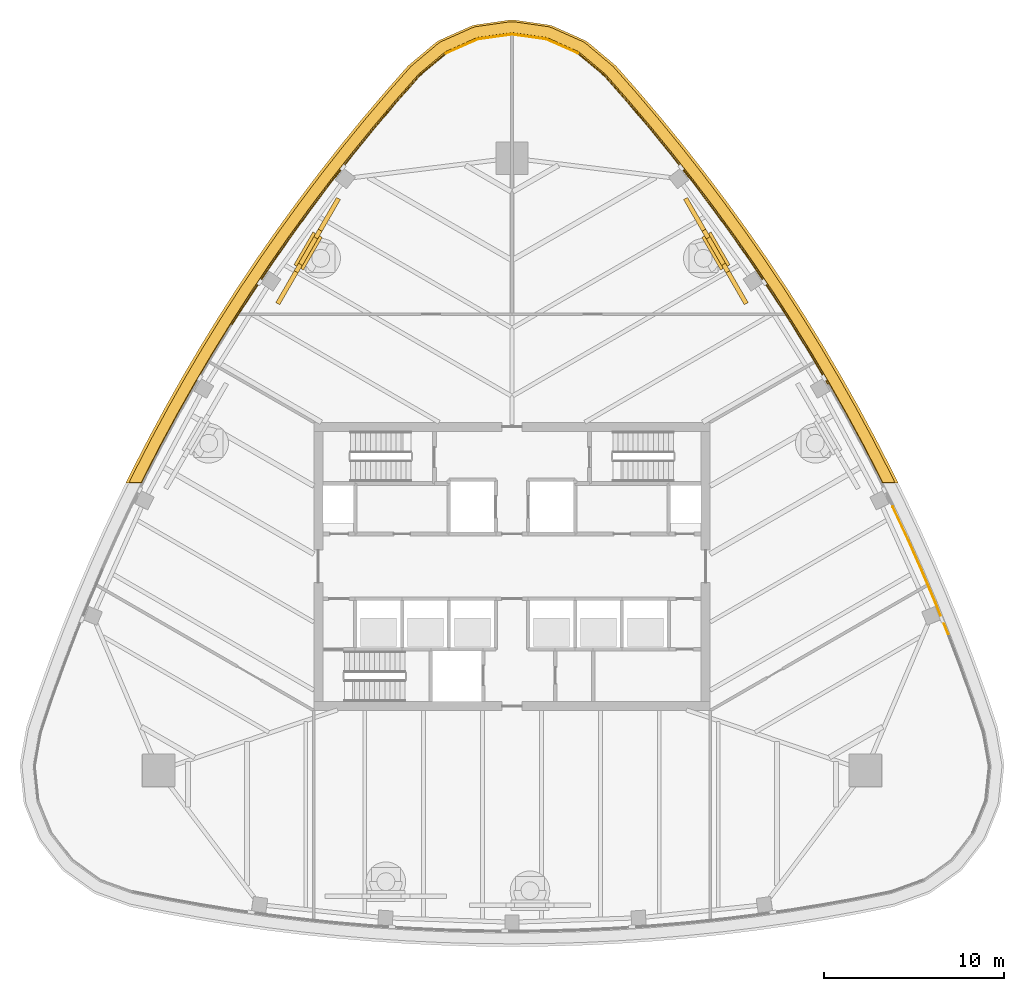
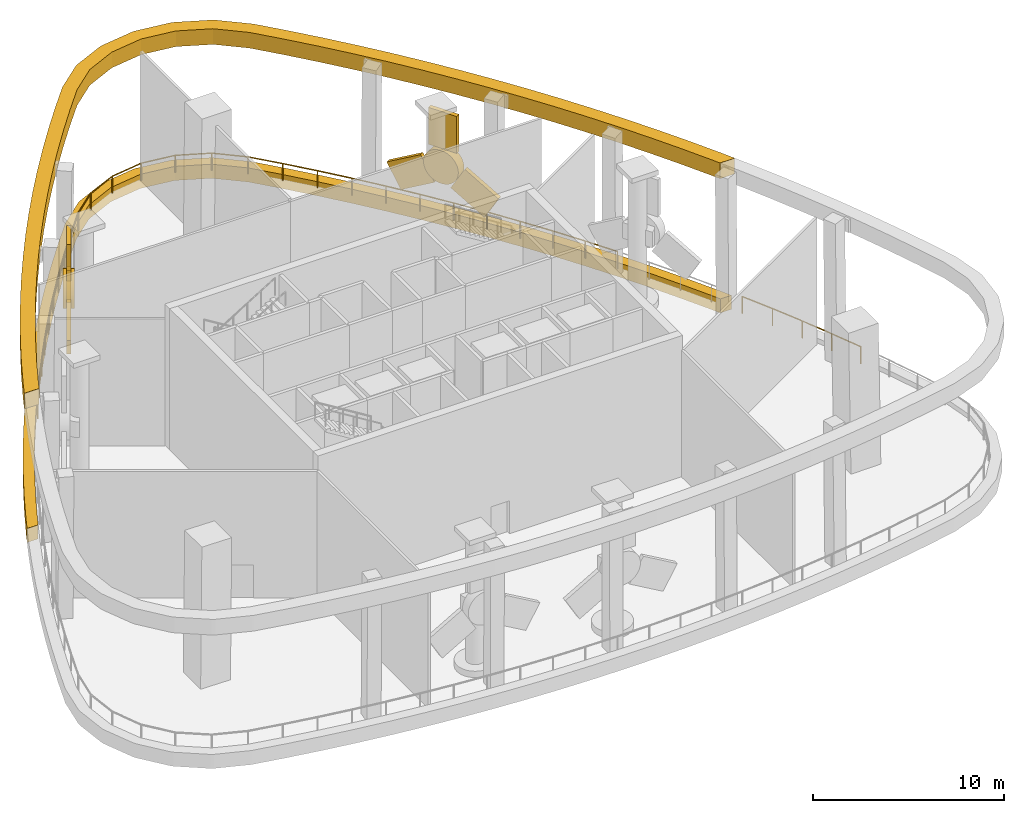
# One storey, part 10 of 12: 10 coverings, 9 railings.
"""IFC4 building model written with IfcOpenShell, lengths in metres."""

from ifc_helpers import new_model, si_unit, direction, frame, origin, origin_2d, place, context, subcontext, project, spatial, polyline, rectangle, circle, outline, extrude, material, layer, layer_set, material_profile, profile_set, type_object, element, save


model = new_model("IFC4")

# Units and contexts
model_context = context("Model", 3, precision=1e-05, world=origin(), true_north=direction((0.0, 1.0)))
body_context = subcontext(model_context, "Body", "Model", "MODEL_VIEW")
ifc_project = project(units=[si_unit("LENGTHUNIT", "METRE"), si_unit("AREAUNIT", "SQUARE_METRE"), si_unit("VOLUMEUNIT", "CUBIC_METRE"), si_unit("PLANEANGLEUNIT", "RADIAN"), si_unit("MASSUNIT", "GRAM", prefix="KILO")], contexts=[model_context])

# Site, building, storey
site_placement = place(None, origin())
site = spatial("IfcSite", under=ifc_project, at=site_placement, CompositionType="ELEMENT")
building_placement = place(site_placement, origin())
building = spatial("IfcBuilding", under=site, at=building_placement, Name="Sierra Prisma Convention Tower", CompositionType="ELEMENT")
storey_placement = place(building_placement, frame((0.0, 0.0, 330.39990234375)))
storey = spatial("IfcBuildingStorey", under=building, at=storey_placement, Name="L75", CompositionType="ELEMENT", Elevation=330.39990234375)

# Railings
ifc_material_1 = material(Name="Stainless steel 316 and laminated glass", Category="steel")
railing_type = type_object("IfcRailingType", Name="Open storey guard", PredefinedType="BALUSTRADE", material=ifc_material_1)
railing_1_placement = place(storey_placement, frame((-15.544189453125, 13.422607421875, 0.0)))
element("IfcRailing", 1, at=railing_1_placement, inside=storey, type_object=railing_type, Name="Perimeter guard L75", PredefinedType="BALUSTRADE", context=body_context, shape_type="SweptSolid", body=[
    extrude(circle(Radius=0.02490234375, at=origin_2d()), frame((0.0, 0.0, 1.0751953125), z_axis=(0.540257888774, 0.84149950304, 0.0), x_axis=(-0.84149950304, 0.540257888774, 0.0)), (0.0, 0.0, 1.0), 1.926513671875),
    extrude(circle(Radius=0.02490234375, at=origin_2d()), frame((1.040771484375, 1.62109375, 1.0751953125), z_axis=(0.556044646284, 0.83115242365, 0.0), x_axis=(-0.83115242365, 0.556044646284, 0.0)), (0.0, 0.0, 1.0), 1.926513671875),
    extrude(circle(Radius=0.02490234375, at=origin_2d()), frame((2.112060546875, 3.222412109375, 1.0751953125), z_axis=(0.57163241071, 0.820509833595, 0.0), x_axis=(-0.820509833595, 0.57163241071, 0.0)), (0.0, 0.0, 1.0), 1.926513671875),
    extrude(circle(Radius=0.02490234375, at=origin_2d()), frame((3.21337890625, 4.80322265625, 1.0751953125), z_axis=(0.587108769912, 0.80950805573, 0.0), x_axis=(-0.80950805573, 0.587108769912, 0.0)), (0.0, 0.0, 1.0), 1.926513671875),
    extrude(circle(Radius=0.02001953125, at=origin_2d()), origin(), (0.0, 0.0, 1.0), 1.050048828125),
    extrude(circle(Radius=0.02001953125, at=origin_2d()), frame((1.040771484375, 1.62109375, 0.0)), (0.0, 0.0, 1.0), 1.050048828125),
    extrude(circle(Radius=0.02001953125, at=origin_2d()), frame((2.112060546875, 3.222412109375, 0.0)), (0.0, 0.0, 1.0), 1.050048828125),
    extrude(circle(Radius=0.02001953125, at=origin_2d()), frame((3.21337890625, 4.80322265625, 0.0)), (0.0, 0.0, 1.0), 1.050048828125),
    extrude(circle(Radius=0.02001953125, at=origin_2d()), frame((4.344482421875, 6.36279296875, 0.0)), (0.0, 0.0, 1.0), 1.050048828125),
])
railing_2_placement = place(storey_placement, frame((-11.19970703125, 19.785400390625, 0.0)))
element("IfcRailing", 2, at=railing_2_placement, inside=storey, type_object=railing_type, Name="Perimeter guard L75", PredefinedType="BALUSTRADE", context=body_context, shape_type="SweptSolid", body=[
    extrude(circle(Radius=0.02490234375, at=origin_2d()), frame((0.0, 0.0, 1.0751953125), z_axis=(0.602187525109, 0.79835467344, 0.0), x_axis=(-0.79835467344, 0.602187525109, 0.0)), (0.0, 0.0, 1.0), 1.926513671875),
    extrude(circle(Radius=0.02490234375, at=origin_2d()), frame((1.16015625, 1.5380859375, 1.0751953125), z_axis=(0.61715531955, 0.786841350941, 0.0), x_axis=(-0.786841350941, 0.61715531955, 0.0)), (0.0, 0.0, 1.0), 1.926513671875),
    extrude(circle(Radius=0.02490234375, at=origin_2d()), frame((2.34912109375, 3.053955078125, 1.0751953125), z_axis=(0.631870389581, 0.775074067926, 0.0), x_axis=(-0.775074067926, 0.631870389581, 0.0)), (0.0, 0.0, 1.0), 1.926513671875),
    extrude(circle(Radius=0.02490234375, at=origin_2d()), frame((3.56640625, 4.547119140625, 1.0751953125), z_axis=(0.646407933094, 0.762991994738, 0.0), x_axis=(-0.762991994738, 0.646407933094, 0.0)), (0.0, 0.0, 1.0), 1.926513671875),
    extrude(circle(Radius=0.02001953125, at=origin_2d()), origin(), (0.0, 0.0, 1.0), 1.050048828125),
    extrude(circle(Radius=0.02001953125, at=origin_2d()), frame((1.16015625, 1.5380859375, 0.0)), (0.0, 0.0, 1.0), 1.050048828125),
    extrude(circle(Radius=0.02001953125, at=origin_2d()), frame((2.34912109375, 3.053955078125, 0.0)), (0.0, 0.0, 1.0), 1.050048828125),
    extrude(circle(Radius=0.02001953125, at=origin_2d()), frame((3.56640625, 4.547119140625, 0.0)), (0.0, 0.0, 1.0), 1.050048828125),
    extrude(circle(Radius=0.02001953125, at=origin_2d()), frame((4.811767578125, 6.01708984375, 0.0)), (0.0, 0.0, 1.0), 1.050048828125),
])
railing_3_placement = place(storey_placement, frame((-6.387939453125, 25.802490234375, 0.0)))
element("IfcRailing", 3, at=railing_3_placement, inside=storey, type_object=railing_type, Name="Perimeter guard L75", PredefinedType="BALUSTRADE", context=body_context, shape_type="SweptSolid", body=[
    extrude(circle(Radius=0.02490234375, at=origin_2d()), frame((0.0, 0.0, 1.0751953125), z_axis=(0.660725352197, 0.750627743268, 0.0), x_axis=(-0.750627743268, 0.660725352197, 0.0)), (0.0, 0.0, 1.0), 1.919921875),
    extrude(circle(Radius=0.02490234375, at=origin_2d()), frame((1.2685546875, 1.441162109375, 1.0751953125), z_axis=(0.765059307284, 0.643959825096, 0.0), x_axis=(-0.643959825096, 0.765059307284, 0.0)), (0.0, 0.0, 1.0), 1.92333984375),
    extrude(circle(Radius=0.02001953125, at=origin_2d()), origin(), (0.0, 0.0, 1.0), 1.050048828125),
    extrude(circle(Radius=0.02001953125, at=origin_2d()), frame((1.2685546875, 1.441162109375, 0.0)), (0.0, 0.0, 1.0), 1.050048828125),
    extrude(circle(Radius=0.02001953125, at=origin_2d()), frame((2.739990234375, 2.6796875, 0.0)), (0.0, 0.0, 1.0), 1.050048828125),
])
railing_4_placement = place(storey_placement, frame((-3.64794921875, 28.482177734375, 0.0)))
element("IfcRailing", 4, at=railing_4_placement, inside=storey, type_object=railing_type, Name="Perimeter guard L75", PredefinedType="BALUSTRADE", context=body_context, shape_type="SweptSolid", body=[
    extrude(circle(Radius=0.02490234375, at=origin_2d()), frame((0.0, 0.0, 1.0751953125), z_axis=(0.913137882438, 0.407650840374, 0.0), x_axis=(-0.407650840374, 0.913137882438, 0.0)), (0.0, 0.0, 1.0), 1.91650390625),
    extrude(circle(Radius=0.02490234375, at=origin_2d()), frame((1.75, 0.78125, 1.0751953125), z_axis=(0.990225266236, 0.139477317537, 0.0), x_axis=(-0.139477317537, 0.990225266236, 0.0)), (0.0, 0.0, 1.0), 1.916748046875),
    extrude(circle(Radius=0.02001953125, at=origin_2d()), origin(), (0.0, 0.0, 1.0), 1.050048828125),
    extrude(circle(Radius=0.02001953125, at=origin_2d()), frame((1.75, 0.78125, 0.0)), (0.0, 0.0, 1.0), 1.050048828125),
    extrude(circle(Radius=0.02001953125, at=origin_2d()), frame((3.64794921875, 1.048583984375, 0.0)), (0.0, 0.0, 1.0), 1.050048828125),
])
railing_5_placement = place(storey_placement, frame((0.0, 29.53076171875, 0.0)))
element("IfcRailing", 5, at=railing_5_placement, inside=storey, type_object=railing_type, Name="Perimeter guard L75", PredefinedType="BALUSTRADE", context=body_context, shape_type="SweptSolid", body=[
    extrude(circle(Radius=0.02490234375, at=origin_2d()), frame((0.0, 0.0, 1.0751953125), z_axis=(0.990225266236, -0.139477317537, 0.0), x_axis=(0.139477317537, 0.990225266236, 0.0)), (0.0, 0.0, 1.0), 1.916748046875),
    extrude(circle(Radius=0.02490234375, at=origin_2d()), frame((1.89794921875, -0.267333984375, 1.0751953125), z_axis=(0.913137882438, -0.407650840374, 0.0), x_axis=(0.407650840374, 0.913137882438, 0.0)), (0.0, 0.0, 1.0), 1.91650390625),
    extrude(circle(Radius=0.02001953125, at=origin_2d()), origin(), (0.0, 0.0, 1.0), 1.050048828125),
    extrude(circle(Radius=0.02001953125, at=origin_2d()), frame((1.89794921875, -0.267333984375, 0.0)), (0.0, 0.0, 1.0), 1.050048828125),
    extrude(circle(Radius=0.02001953125, at=origin_2d()), frame((3.64794921875, -1.048583984375, 0.0)), (0.0, 0.0, 1.0), 1.050048828125),
])
railing_6_placement = place(storey_placement, frame((3.64794921875, 28.482177734375, 0.0)))
element("IfcRailing", 6, at=railing_6_placement, inside=storey, type_object=railing_type, Name="Perimeter guard L75", PredefinedType="BALUSTRADE", context=body_context, shape_type="SweptSolid", body=[
    extrude(circle(Radius=0.02490234375, at=origin_2d()), frame((0.0, 0.0, 1.0751953125), z_axis=(0.765059307284, -0.643959825096, 0.0), x_axis=(0.643959825096, 0.765059307284, 0.0)), (0.0, 0.0, 1.0), 1.92333984375),
    extrude(circle(Radius=0.02490234375, at=origin_2d()), frame((1.471435546875, -1.238525390625, 1.0751953125), z_axis=(0.660725352197, -0.750627743268, 0.0), x_axis=(0.750627743268, 0.660725352197, 0.0)), (0.0, 0.0, 1.0), 1.919921875),
    extrude(circle(Radius=0.02490234375, at=origin_2d()), frame((2.739990234375, -2.6796875, 1.0751953125), z_axis=(0.646407933094, -0.762991994738, 0.0), x_axis=(0.762991994738, 0.646407933094, 0.0)), (0.0, 0.0, 1.0), 1.926513671875),
    extrude(circle(Radius=0.02490234375, at=origin_2d()), frame((3.9853515625, -4.149658203125, 1.0751953125), z_axis=(0.631870389581, -0.775074067926, 0.0), x_axis=(0.775074067926, 0.631870389581, 0.0)), (0.0, 0.0, 1.0), 1.926513671875),
    extrude(circle(Radius=0.02001953125, at=origin_2d()), origin(), (0.0, 0.0, 1.0), 1.050048828125),
    extrude(circle(Radius=0.02001953125, at=origin_2d()), frame((1.471435546875, -1.238525390625, 0.0)), (0.0, 0.0, 1.0), 1.050048828125),
    extrude(circle(Radius=0.02001953125, at=origin_2d()), frame((2.739990234375, -2.6796875, 0.0)), (0.0, 0.0, 1.0), 1.050048828125),
    extrude(circle(Radius=0.02001953125, at=origin_2d()), frame((3.9853515625, -4.149658203125, 0.0)), (0.0, 0.0, 1.0), 1.050048828125),
    extrude(circle(Radius=0.02001953125, at=origin_2d()), frame((5.20263671875, -5.642822265625, 0.0)), (0.0, 0.0, 1.0), 1.050048828125),
])
railing_7_placement = place(storey_placement, frame((8.8505859375, 22.83935546875, 0.0)))
element("IfcRailing", 7, at=railing_7_placement, inside=storey, type_object=railing_type, Name="Perimeter guard L75", PredefinedType="BALUSTRADE", context=body_context, shape_type="SweptSolid", body=[
    extrude(circle(Radius=0.02490234375, at=origin_2d()), frame((0.0, 0.0, 1.0751953125), z_axis=(0.61715531955, -0.786841350941, 0.0), x_axis=(0.786841350941, 0.61715531955, 0.0)), (0.0, 0.0, 1.0), 1.926513671875),
    extrude(circle(Radius=0.02490234375, at=origin_2d()), frame((1.18896484375, -1.515869140625, 1.0751953125), z_axis=(0.602187525109, -0.79835467344, 0.0), x_axis=(0.79835467344, 0.602187525109, 0.0)), (0.0, 0.0, 1.0), 1.926513671875),
    extrude(circle(Radius=0.02490234375, at=origin_2d()), frame((2.34912109375, -3.053955078125, 1.0751953125), z_axis=(0.587108769912, -0.80950805573, 0.0), x_axis=(0.80950805573, 0.587108769912, 0.0)), (0.0, 0.0, 1.0), 1.926513671875),
    extrude(circle(Radius=0.02490234375, at=origin_2d()), frame((3.480224609375, -4.613525390625, 1.0751953125), z_axis=(0.57163241071, -0.820509833595, 0.0), x_axis=(0.820509833595, 0.57163241071, 0.0)), (0.0, 0.0, 1.0), 1.926513671875),
    extrude(circle(Radius=0.02001953125, at=origin_2d()), origin(), (0.0, 0.0, 1.0), 1.050048828125),
    extrude(circle(Radius=0.02001953125, at=origin_2d()), frame((1.18896484375, -1.515869140625, 0.0)), (0.0, 0.0, 1.0), 1.050048828125),
    extrude(circle(Radius=0.02001953125, at=origin_2d()), frame((2.34912109375, -3.053955078125, 0.0)), (0.0, 0.0, 1.0), 1.050048828125),
    extrude(circle(Radius=0.02001953125, at=origin_2d()), frame((3.480224609375, -4.613525390625, 0.0)), (0.0, 0.0, 1.0), 1.050048828125),
    extrude(circle(Radius=0.02001953125, at=origin_2d()), frame((4.58154296875, -6.1943359375, 0.0)), (0.0, 0.0, 1.0), 1.050048828125),
])
railing_8_placement = place(storey_placement, frame((13.43212890625, 16.64501953125, 0.0)))
element("IfcRailing", 8, at=railing_8_placement, inside=storey, type_object=railing_type, Name="Perimeter guard L75", PredefinedType="BALUSTRADE", context=body_context, shape_type="SweptSolid", body=[
    extrude(circle(Radius=0.02490234375, at=origin_2d()), frame((0.0, 0.0, 1.0751953125), z_axis=(0.556044646284, -0.83115242365, 0.0), x_axis=(0.83115242365, 0.556044646284, 0.0)), (0.0, 0.0, 1.0), 1.926513671875),
    extrude(circle(Radius=0.02490234375, at=origin_2d()), frame((1.0712890625, -1.601318359375, 1.0751953125), z_axis=(0.540257888774, -0.84149950304, 0.0), x_axis=(0.84149950304, 0.540257888774, 0.0)), (0.0, 0.0, 1.0), 1.926513671875),
    extrude(circle(Radius=0.02490234375, at=origin_2d()), frame((2.112060546875, -3.222412109375, 1.0751953125), z_axis=(0.524394358105, -0.851475517668, 0.0), x_axis=(0.851475517668, 0.524394358105, 0.0)), (0.0, 0.0, 1.0), 1.926513671875),
    extrude(circle(Radius=0.02490234375, at=origin_2d()), frame((3.122314453125, -4.86279296875, 1.0751953125), z_axis=(0.508033235774, -0.861337466589, 0.0), x_axis=(0.861337466589, 0.508033235774, 0.0)), (0.0, 0.0, 1.0), 1.926513671875),
    extrude(circle(Radius=0.02001953125, at=origin_2d()), origin(), (0.0, 0.0, 1.0), 1.050048828125),
    extrude(circle(Radius=0.02001953125, at=origin_2d()), frame((1.0712890625, -1.601318359375, 0.0)), (0.0, 0.0, 1.0), 1.050048828125),
    extrude(circle(Radius=0.02001953125, at=origin_2d()), frame((2.112060546875, -3.222412109375, 0.0)), (0.0, 0.0, 1.0), 1.050048828125),
    extrude(circle(Radius=0.02001953125, at=origin_2d()), frame((3.122314453125, -4.86279296875, 0.0)), (0.0, 0.0, 1.0), 1.050048828125),
    extrude(circle(Radius=0.02001953125, at=origin_2d()), frame((4.10107421875, -6.522216796875, 0.0)), (0.0, 0.0, 1.0), 1.050048828125),
])
railing_9_placement = place(storey_placement, frame((21.131103515625, 3.31005859375, 0.0)))
element("IfcRailing", 9, at=railing_9_placement, inside=storey, type_object=railing_type, Name="Perimeter guard L75", PredefinedType="BALUSTRADE", context=body_context, shape_type="SweptSolid", body=[
    extrude(circle(Radius=0.02490234375, at=origin_2d()), frame((0.0, 0.0, 1.0751953125), z_axis=(0.424667635312, -0.905349324581, 0.0), x_axis=(0.905349324581, 0.424667635312, 0.0)), (0.0, 0.0, 1.0), 1.926513671875),
    extrude(circle(Radius=0.02490234375, at=origin_2d()), frame((0.818115234375, -1.744140625, 1.0751953125), z_axis=(0.407654613972, -0.913136197786, 0.0), x_axis=(0.913136197786, 0.407654613972, 0.0)), (0.0, 0.0, 1.0), 1.926513671875),
    extrude(circle(Radius=0.02490234375, at=origin_2d()), frame((1.603515625, -3.50341796875, 1.0751953125), z_axis=(0.390276484242, -0.920697706008, 0.0), x_axis=(0.920697706008, 0.390276484242, 0.0)), (0.0, 0.0, 1.0), 1.9267578125),
    extrude(circle(Radius=0.02490234375, at=origin_2d()), frame((2.35546875, -5.27734375, 1.0751953125), z_axis=(0.372832299933, -0.927898742389, 0.0), x_axis=(0.927898742389, 0.372832299933, 0.0)), (0.0, 0.0, 1.0), 1.926513671875),
    extrude(circle(Radius=0.02001953125, at=origin_2d()), origin(), (0.0, 0.0, 1.0), 1.050048828125),
    extrude(circle(Radius=0.02001953125, at=origin_2d()), frame((0.818115234375, -1.744140625, 0.0)), (0.0, 0.0, 1.0), 1.050048828125),
    extrude(circle(Radius=0.02001953125, at=origin_2d()), frame((1.603515625, -3.50341796875, 0.0)), (0.0, 0.0, 1.0), 1.050048828125),
    extrude(circle(Radius=0.02001953125, at=origin_2d()), frame((2.35546875, -5.27734375, 0.0)), (0.0, 0.0, 1.0), 1.050048828125),
    extrude(circle(Radius=0.02001953125, at=origin_2d()), frame((3.07373046875, -7.06494140625, 0.0)), (0.0, 0.0, 1.0), 1.050048828125),
])

# Coverings
ifc_material_2 = material(Name="Aluminium composite bronze anodised", Category="aluminium")
ifc_material_profile_1 = material_profile(ifc_material_2, rectangle(XDim=0.25, YDim=1.699951171875, at=origin_2d()), Name="ROTOR BLADE 250x1700")
ifc_profile_set_1 = profile_set([ifc_material_profile_1], Name="Aluminium composite bronze anodised")
covering_type_1 = type_object("IfcCoveringType", Name="Rotor blade", PredefinedType="CLADDING", material=ifc_profile_set_1)
covering_1_placement = place(storey_placement, frame((11.314697265625, 17.501953125, 5.400146484375), z_axis=(0.0, 0.0, 1.0), x_axis=(0.866025403784, 0.5, 0.0)))
element("IfcCovering", 10, at=covering_1_placement, inside=storey, type_object=covering_type_1, Name="Rotor blade 5.1", PredefinedType="CLADDING", context=body_context, shape_type="SweptSolid", body=[
    extrude(rectangle(XDim=0.25, YDim=1.699951171875, at=origin_2d()), origin(), (0.0, 0.0, 1.0), 2.349853515625),
])
for number, where, z_axis, x_axis, name in (
    (11, (11.76953125, 16.714599609375, 3.8251953125), (0.432980617673, -0.750028805086, -0.499984576022), (0.866049759928, 0.499957811549, 0.0), "Rotor blade 5.2"),
    (12, (10.860107421875, 18.28955078125, 3.8251953125), (-0.433014354779, 0.749983355842, -0.500023533961), (-0.866019772443, -0.500009753642, 0.0), "Rotor blade 5.3"),
):
    element("IfcCovering", number, at=place(storey_placement, frame(where, z_axis=z_axis, x_axis=x_axis)), inside=storey, type_object=covering_type_1, Name=name, PredefinedType="CLADDING", context=body_context, shape_type="SweptSolid", body=[
        extrude(rectangle(XDim=0.25, YDim=1.699951171875, at=origin_2d()), origin(), (0.0, 0.0, 1.0), 2.35009765625),
    ])
covering_2_placement = place(storey_placement, frame((-11.314697265625, 17.501953125, 5.400146484375), z_axis=(0.0, 0.0, 1.0), x_axis=(-0.866025403784, 0.5, 0.0)))
element("IfcCovering", 13, at=covering_2_placement, inside=storey, type_object=covering_type_1, Name="Rotor blade 6.1", PredefinedType="CLADDING", context=body_context, shape_type="SweptSolid", body=[
    extrude(rectangle(XDim=0.25, YDim=1.699951171875, at=origin_2d()), origin(), (0.0, 0.0, 1.0), 2.349853515625),
])
for number, where, z_axis, x_axis, name in (
    (14, (-10.860107421875, 18.28955078125, 3.8251953125), (0.433014354779, 0.749983355842, -0.500023533961), (-0.866019772443, 0.500009753642, 0.0), "Rotor blade 6.2"),
    (15, (-11.76953125, 16.714599609375, 3.8251953125), (-0.432980617673, -0.750028805086, -0.499984576022), (0.866049759928, -0.499957811549, 0.0), "Rotor blade 6.3"),
):
    element("IfcCovering", number, at=place(storey_placement, frame(where, z_axis=z_axis, x_axis=x_axis)), inside=storey, type_object=covering_type_1, Name=name, PredefinedType="CLADDING", context=body_context, shape_type="SweptSolid", body=[
        extrude(rectangle(XDim=0.25, YDim=1.699951171875, at=origin_2d()), origin(), (0.0, 0.0, 1.0), 2.35009765625),
    ])
ifc_material_3 = material(Name="Aluminium composite bronze anodised", Category="aluminium")
ifc_material_profile_2 = material_profile(ifc_material_3, circle(Radius=1.050048828125, at=origin_2d()), Name="ROTOR HUB 2100")
ifc_profile_set_2 = profile_set([ifc_material_profile_2], Name="Aluminium composite bronze anodised")
covering_type_2 = type_object("IfcCoveringType", Name="Rotor hub", PredefinedType="CLADDING", material=ifc_profile_set_2)
for number, where, z_axis, x_axis, name in (
    (16, (11.054931640625, 17.35205078125, 4.35009765625), (0.866056883327, 0.499945471869, 0.0), (-0.499945471869, 0.866056883327, 0.0), "Rotor hub 5"),
    (17, (-11.054931640625, 17.35205078125, 4.35009765625), (-0.866056883327, 0.499945471869, 0.0), (-0.499945471869, -0.866056883327, 0.0), "Rotor hub 6"),
):
    element("IfcCovering", number, at=place(storey_placement, frame(where, z_axis=z_axis, x_axis=x_axis)), inside=storey, type_object=covering_type_2, Name=name, PredefinedType="CLADDING", context=body_context, shape_type="SweptSolid", body=[
        extrude(circle(Radius=1.050048828125, at=origin_2d()), origin(), (0.0, 0.0, 1.0), 0.60009765625),
    ])
ifc_material_4 = material(Name="Aluminium composite bronze anodised", Category="aluminium")
ifc_layer_1 = layer(ifc_material_4, 0.800048828125)
ifc_layer_set_1 = layer_set([ifc_layer_1], Name="Slot header band")
covering_type_3 = type_object("IfcCoveringType", Name="Slot header band", PredefinedType="CLADDING", material=ifc_layer_set_1)
covering_3_placement = place(storey_placement, frame((0.0, 0.0, 8.0)))
element("IfcCovering", 18, at=covering_3_placement, inside=storey, type_object=covering_type_3, Name="Slot header band 2", PredefinedType="CLADDING", context=body_context, shape_type="SweptSolid", body=[
    extrude(outline(polyline([(-21.03369140625, 5.43896484375), (-21.027099609375, 5.452392578125), (-20.14697265625, 7.15771484375), (-20.139892578125, 7.1708984375), (-19.227783203125, 8.859375), (-19.220703125, 8.87255859375), (-18.27685546875, 10.54345703125), (-18.269287109375, 10.556396484375), (-17.294189453125, 12.209228515625), (-17.286376953125, 12.22216796875), (-16.2802734375, 13.856201171875), (-16.272216796875, 13.868896484375), (-15.2353515625, 15.483642578125), (-15.22705078125, 15.496337890625), (-14.159912109375, 17.09130859375), (-14.151611328125, 17.103759765625), (-13.054443359375, 18.677978515625), (-13.045654296875, 18.6904296875), (-11.919189453125, 20.243896484375), (-11.91015625, 20.256103515625), (-10.75439453125, 21.787841796875), (-10.745361328125, 21.7998046875), (-9.560791015625, 23.3095703125), (-9.551513671875, 23.3212890625), (-8.338623046875, 24.80859375), (-8.3291015625, 24.8203125), (-7.08837890625, 26.2841796875), (-7.07861328125, 26.295654296875), (-5.810791015625, 27.736083984375), (-5.725341796875, 27.8193359375), (-4.2314453125, 29.07666015625), (-4.04248046875, 29.195068359375), (-2.259521484375, 29.99072265625), (-2.044921875, 30.052490234375), (-0.111572265625, 30.32470703125), (0.111572265625, 30.32470703125), (2.044921875, 30.052490234375), (2.259521484375, 29.99072265625), (4.04248046875, 29.195068359375), (4.2314453125, 29.07666015625), (5.725341796875, 27.8193359375), (5.810791015625, 27.736083984375), (7.07861328125, 26.295654296875), (7.08837890625, 26.2841796875), (8.3291015625, 24.8203125), (8.338623046875, 24.80859375), (9.551513671875, 23.3212890625), (9.560791015625, 23.3095703125), (10.745361328125, 21.7998046875), (10.75439453125, 21.787841796875), (11.91015625, 20.256103515625), (11.919189453125, 20.243896484375), (13.045654296875, 18.6904296875), (13.054443359375, 18.677978515625), (14.151611328125, 17.103759765625), (14.159912109375, 17.09130859375), (15.22705078125, 15.496337890625), (15.2353515625, 15.483642578125), (16.272216796875, 13.868896484375), (16.2802734375, 13.856201171875), (17.286376953125, 12.22216796875), (17.294189453125, 12.209228515625), (18.269287109375, 10.556396484375), (18.27685546875, 10.54345703125), (19.220703125, 8.87255859375), (19.227783203125, 8.859375), (20.139892578125, 7.1708984375), (20.14697265625, 7.15771484375), (21.027099609375, 5.452392578125), (21.03369140625, 5.43896484375), (21.435791015625, 4.622314453125), (20.544189453125, 4.622314453125), (20.316162109375, 5.085693359375), (19.43603515625, 6.790771484375), (18.524169921875, 8.479248046875), (17.580322265625, 10.14990234375), (16.605224609375, 11.802734375), (15.59912109375, 13.436767578125), (14.562255859375, 15.051513671875), (13.4951171875, 16.646240234375), (12.398193359375, 18.220703125), (11.271484375, 19.774169921875), (10.11572265625, 21.305908203125), (8.931396484375, 22.81591796875), (7.71875, 24.302978515625), (6.478271484375, 25.76708984375), (5.210205078125, 27.207275390625), (3.71630859375, 28.464599609375), (1.933349609375, 29.26025390625), (0.0, 29.532470703125), (-1.933349609375, 29.26025390625), (-3.71630859375, 28.464599609375), (-5.210205078125, 27.207275390625), (-6.478271484375, 25.76708984375), (-7.71875, 24.302978515625), (-8.931396484375, 22.81591796875), (-10.11572265625, 21.305908203125), (-11.271484375, 19.774169921875), (-12.398193359375, 18.220703125), (-13.4951171875, 16.646240234375), (-14.562255859375, 15.051513671875), (-15.59912109375, 13.436767578125), (-16.605224609375, 11.802734375), (-17.580322265625, 10.14990234375), (-18.524169921875, 8.479248046875), (-19.43603515625, 6.790771484375), (-20.316162109375, 5.085693359375), (-20.544189453125, 4.622314453125), (-21.435791015625, 4.622314453125), (-21.03369140625, 5.43896484375)])), origin(), (0.0, 0.0, 1.0), 1.0),
])
ifc_material_5 = material(Name="Aluminium composite bronze anodised", Category="aluminium")
ifc_layer_2 = layer(ifc_material_5, 0.60009765625)
ifc_layer_set_2 = layer_set([ifc_layer_2], Name="Slot sill band")
covering_type_4 = type_object("IfcCoveringType", Name="Slot sill band", PredefinedType="CLADDING", material=ifc_layer_set_2)
covering_4_placement = place(storey_placement, frame((0.0, 0.0, -0.599853515625)))
element("IfcCovering", 19, at=covering_4_placement, inside=storey, type_object=covering_type_4, Name="Slot sill band 2", PredefinedType="CLADDING", context=body_context, shape_type="SweptSolid", body=[
    extrude(outline(polyline([(-20.90771484375, 5.348388671875), (-20.902587890625, 5.3583984375), (-20.01806640625, 7.072265625), (-20.0126953125, 7.082275390625), (-19.09619140625, 8.77880859375), (-19.0908203125, 8.788818359375), (-18.142333984375, 10.468017578125), (-18.13671875, 10.477783203125), (-17.15673828125, 12.138671875), (-17.15087890625, 12.148193359375), (-16.139892578125, 13.79052734375), (-16.1337890625, 13.800048828125), (-15.091796875, 15.4228515625), (-15.085693359375, 15.432373046875), (-14.01318359375, 17.03515625), (-14.0068359375, 17.04443359375), (-12.904541015625, 18.626708984375), (-12.89794921875, 18.635986328125), (-11.765869140625, 20.197021484375), (-11.75927734375, 20.206298828125), (-10.597900390625, 21.745849609375), (-10.591064453125, 21.754638671875), (-9.40087890625, 23.272216796875), (-9.393798828125, 23.281005859375), (-8.17529296875, 24.775634765625), (-8.16796875, 24.7841796875), (-6.92138671875, 26.255615234375), (-6.9140625, 26.264404296875), (-5.639892578125, 27.7119140625), (-5.57568359375, 27.7744140625), (-4.087890625, 29.02685546875), (-3.9462890625, 29.11572265625), (-2.17041015625, 29.908447265625), (-2.009521484375, 29.95458984375), (-0.083740234375, 30.225830078125), (0.083740234375, 30.225830078125), (2.009521484375, 29.95458984375), (2.17041015625, 29.908447265625), (3.9462890625, 29.11572265625), (4.087890625, 29.02685546875), (5.57568359375, 27.7744140625), (5.639892578125, 27.7119140625), (6.9140625, 26.264404296875), (6.92138671875, 26.255615234375), (8.16796875, 24.7841796875), (8.17529296875, 24.775634765625), (9.393798828125, 23.281005859375), (9.40087890625, 23.272216796875), (10.591064453125, 21.754638671875), (10.597900390625, 21.745849609375), (11.75927734375, 20.206298828125), (11.765869140625, 20.197021484375), (12.89794921875, 18.635986328125), (12.904541015625, 18.626708984375), (14.0068359375, 17.04443359375), (14.01318359375, 17.03515625), (15.085693359375, 15.432373046875), (15.091796875, 15.4228515625), (16.1337890625, 13.800048828125), (16.139892578125, 13.79052734375), (17.15087890625, 12.148193359375), (17.15673828125, 12.138671875), (18.13671875, 10.477783203125), (18.142333984375, 10.468017578125), (19.0908203125, 8.788818359375), (19.09619140625, 8.77880859375), (20.0126953125, 7.082275390625), (20.01806640625, 7.072265625), (20.902587890625, 5.3583984375), (20.90771484375, 5.348388671875), (21.25146484375, 4.650146484375), (20.58251953125, 4.650146484375), (20.369384765625, 5.08349609375), (19.48486328125, 6.797119140625), (18.568359375, 8.493896484375), (17.619873046875, 10.1728515625), (16.639892578125, 11.833740234375), (15.62890625, 13.475830078125), (14.5869140625, 15.0986328125), (13.5146484375, 16.701416015625), (12.412109375, 18.28369140625), (11.2802734375, 19.844970703125), (10.118896484375, 21.384521484375), (8.9287109375, 22.90185546875), (7.710205078125, 24.396484375), (6.463623046875, 25.867919921875), (5.189453125, 27.3154296875), (3.70166015625, 28.56787109375), (1.92578125, 29.360595703125), (0.0, 29.631591796875), (-1.92578125, 29.360595703125), (-3.70166015625, 28.56787109375), (-5.189453125, 27.3154296875), (-6.463623046875, 25.867919921875), (-7.710205078125, 24.396484375), (-8.9287109375, 22.90185546875), (-10.118896484375, 21.384521484375), (-11.2802734375, 19.844970703125), (-12.412109375, 18.28369140625), (-13.5146484375, 16.701416015625), (-14.5869140625, 15.0986328125), (-15.62890625, 13.475830078125), (-16.639892578125, 11.833740234375), (-17.619873046875, 10.1728515625), (-18.568359375, 8.493896484375), (-19.48486328125, 6.797119140625), (-20.369384765625, 5.08349609375), (-20.58251953125, 4.650146484375), (-21.25146484375, 4.650146484375), (-20.90771484375, 5.348388671875)])), origin(), (0.0, 0.0, 1.0), 0.89990234375),
])

save(model, "model.ifc")
